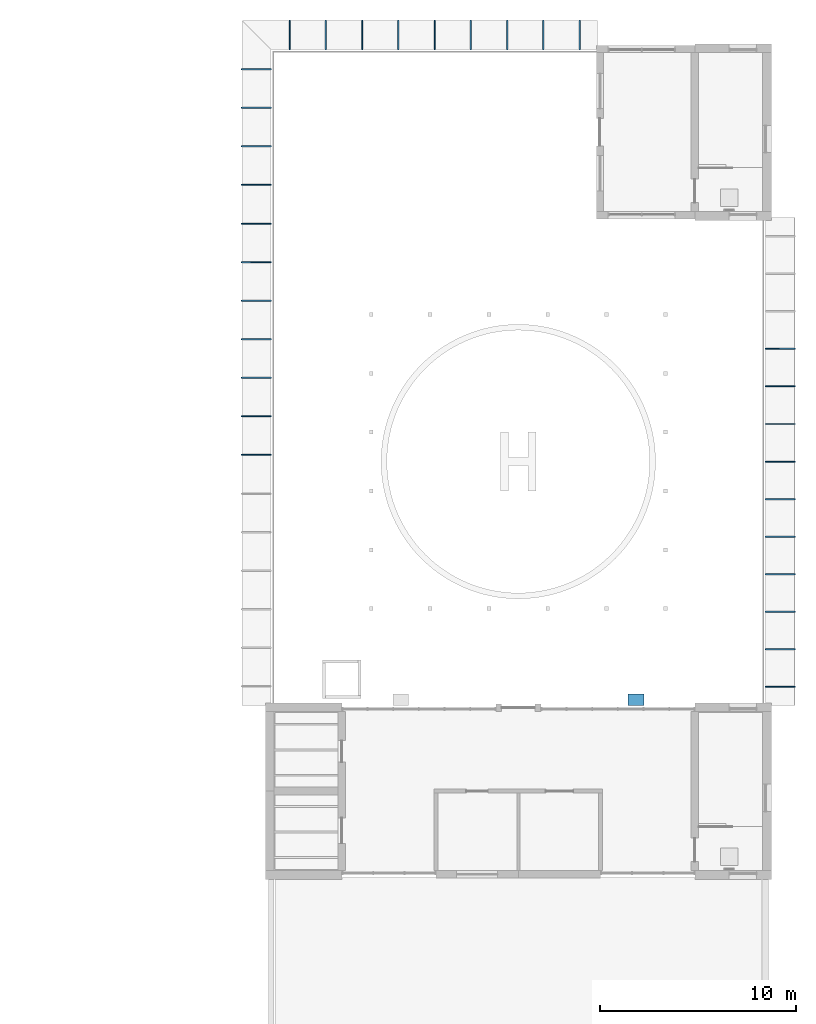
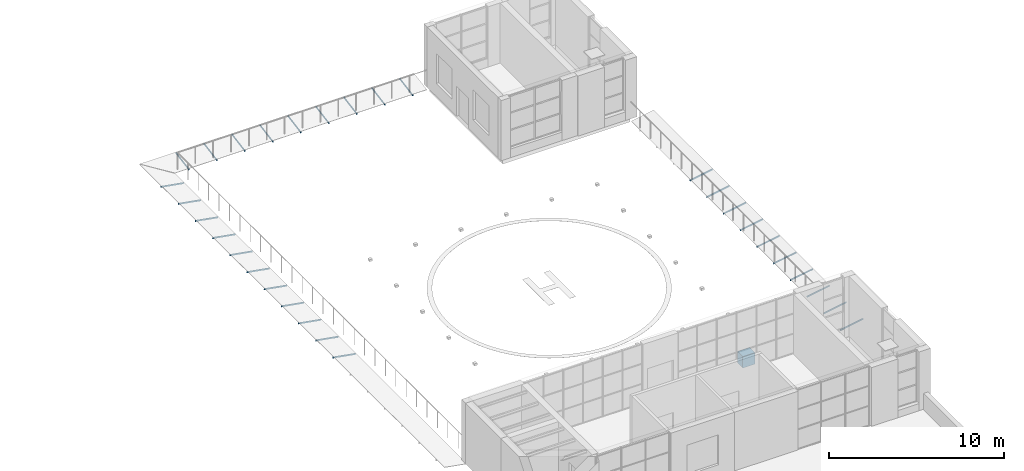
# One storey, part 54 of 66: 31 discrete accessories.
"""IFC4 building model written with IfcOpenShell, lengths in metres."""

from ifc_helpers import new_model, si_unit, direction, frame, origin, origin_2d, place, context, subcontext, project, spatial, rectangle, hollow_rectangle, extrude, material, material_profile, profile_set, type_object, element, save


model = new_model("IFC4")

# Units and contexts
model_context = context("Model", 3, precision=1e-05, world=origin(), true_north=direction((0.0, 1.0)))
body_context = subcontext(model_context, "Body", "Model", "MODEL_VIEW")
ifc_project = project(units=[si_unit("LENGTHUNIT", "METRE"), si_unit("AREAUNIT", "SQUARE_METRE"), si_unit("VOLUMEUNIT", "CUBIC_METRE"), si_unit("PLANEANGLEUNIT", "RADIAN"), si_unit("MASSUNIT", "GRAM", prefix="KILO")], contexts=[model_context])

# Site, building, storey
site_placement = place(None, origin())
site = spatial("IfcSite", under=ifc_project, at=site_placement, CompositionType="ELEMENT")
building_placement = place(site_placement, origin())
building = spatial("IfcBuilding", under=site, at=building_placement, Name="Yavir Park General Hospital", CompositionType="ELEMENT")
storey_placement = place(building_placement, frame((0.0, 0.0, 8.39990234375)))
storey = spatial("IfcBuildingStorey", under=building, at=storey_placement, Name="L02", CompositionType="ELEMENT", Elevation=8.39990234375)

# Discrete accessories
ifc_material_1 = material(Name="Stainless steel cabinet", Category="steel")
discrete_accessory_type_1 = type_object("IfcDiscreteAccessoryType", Name="Helipad foam fire point 800 x 600", PredefinedType="NOTDEFINED", material=ifc_material_1)
discrete_accessory_placement = place(storey_placement, frame((161.39990234375, 84.449951171875, 0.0), z_axis=(0.0, 0.0, 1.0), x_axis=(1.0, 0.0, 0.0)))
element("IfcDiscreteAccessory", 1, at=discrete_accessory_placement, inside=storey, type_object=discrete_accessory_type_1, Name="Helipad foam fire point 2", PredefinedType="NOTDEFINED", context=body_context, shape_type="SweptSolid", body=[
    extrude(rectangle(XDim=0.800048828125, YDim=0.60009765625, at=origin_2d()), origin(), (0.0, 0.0, 1.0), 0.800048828125),
])
ifc_material_2 = material(Name="Steel S355", Category="steel")
ifc_material_profile = material_profile(ifc_material_2, hollow_rectangle(XDim=0.050048828125, YDim=0.10009765625, WallThickness=0.00390625, InnerFilletRadius=0.00390625, OuterFilletRadius=0.008056640625, at=origin_2d()), Name="RHS100x50x4")
ifc_profile_set = profile_set([ifc_material_profile], Name="Steel S355")
discrete_accessory_type_2 = type_object("IfcDiscreteAccessoryType", Name="Net bracket RHS 100 x 50", PredefinedType="BRACKET", material=ifc_profile_set)
for number, where, z_axis, x_axis, name in (
    (2, (158.525634765625, 117.608642578125, -0.3798828125), (0.0, 0.984817426759, 0.173593306182), (-1.0, 0.0, 0.0), "Net bracket 1.1.1"),
    (3, (156.6767578125, 117.608642578125, -0.3798828125), (0.0, 0.984817426759, 0.173593306182), (-1.0, 0.0, 0.0), "Net bracket 1.1.2"),
    (4, (154.827880859375, 117.608642578125, -0.3798828125), (0.0, 0.984817426759, 0.173593306182), (-1.0, 0.0, 0.0), "Net bracket 1.1.3"),
    (5, (152.97900390625, 117.608642578125, -0.3798828125), (0.0, 0.984817426759, 0.173593306182), (-1.0, 0.0, 0.0), "Net bracket 1.1.4"),
    (6, (151.1298828125, 117.608642578125, -0.3798828125), (0.0, 0.984817426759, 0.173593306182), (-1.0, 0.0, 0.0), "Net bracket 1.1.5"),
    (7, (149.281005859375, 117.608642578125, -0.3798828125), (0.0, 0.984817426759, 0.173593306182), (-1.0, 0.0, 0.0), "Net bracket 1.1.6"),
    (8, (147.43212890625, 117.608642578125, -0.3798828125), (0.0, 0.984817426759, 0.173593306182), (-1.0, 0.0, 0.0), "Net bracket 1.1.7"),
    (9, (145.583251953125, 117.608642578125, -0.3798828125), (0.0, 0.984817426759, 0.173593306182), (-1.0, 0.0, 0.0), "Net bracket 1.1.8"),
    (10, (143.734375, 117.608642578125, -0.3798828125), (0.0, 0.984817426759, 0.173593306182), (-1.0, 0.0, 0.0), "Net bracket 1.1.9"),
    (11, (142.791259765625, 116.6064453125, -0.3798828125), (-0.984817426759, 0.0, 0.173593306182), (0.0, -1.0, 0.0), "Net bracket 1.2.1"),
    (12, (142.791259765625, 114.639404296875, -0.3798828125), (-0.984817426759, 0.0, 0.173593306182), (0.0, -1.0, 0.0), "Net bracket 1.2.2"),
    (13, (142.791259765625, 112.67236328125, -0.3798828125), (-0.984817426759, 0.0, 0.173593306182), (0.0, -1.0, 0.0), "Net bracket 1.2.3"),
    (14, (142.791259765625, 110.705322265625, -0.3798828125), (-0.984817426759, 0.0, 0.173593306182), (0.0, -1.0, 0.0), "Net bracket 1.2.4"),
    (15, (142.791259765625, 108.73828125, -0.3798828125), (-0.984817426759, 0.0, 0.173593306182), (0.0, -1.0, 0.0), "Net bracket 1.2.5"),
    (16, (142.791259765625, 106.771240234375, -0.3798828125), (-0.984817426759, 0.0, 0.173593306182), (0.0, -1.0, 0.0), "Net bracket 1.2.6"),
    (17, (142.791259765625, 104.80419921875, -0.3798828125), (-0.984817426759, 0.0, 0.173593306182), (0.0, -1.0, 0.0), "Net bracket 1.2.7"),
    (18, (142.791259765625, 102.837158203125, -0.3798828125), (-0.984817426759, 0.0, 0.173593306182), (0.0, -1.0, 0.0), "Net bracket 1.2.8"),
    (19, (142.791259765625, 100.8701171875, -0.3798828125), (-0.984817426759, 0.0, 0.173593306182), (0.0, -1.0, 0.0), "Net bracket 1.2.9"),
    (20, (142.791259765625, 98.90283203125, -0.3798828125), (-0.984817426759, 0.0, 0.173593306182), (0.0, -1.0, 0.0), "Net bracket 1.2.10"),
    (21, (142.791259765625, 96.935791015625, -0.3798828125), (-0.984817426759, 0.0, 0.173593306182), (0.0, -1.0, 0.0), "Net bracket 1.2.11"),
    (22, (168.0087890625, 85.107666015625, -0.3798828125), (0.984817426759, 0.0, 0.173593306182), (0.0, 1.0, 0.0), "Net bracket 2.1.1"),
    (23, (168.0087890625, 87.023193359375, -0.3798828125), (0.984817426759, 0.0, 0.173593306182), (0.0, 1.0, 0.0), "Net bracket 2.1.2"),
    (24, (168.0087890625, 88.9384765625, -0.3798828125), (0.984817426759, 0.0, 0.173593306182), (0.0, 1.0, 0.0), "Net bracket 2.1.3"),
    (25, (168.0087890625, 90.853759765625, -0.3798828125), (0.984817426759, 0.0, 0.173593306182), (0.0, 1.0, 0.0), "Net bracket 2.1.4"),
    (26, (168.0087890625, 92.769287109375, -0.3798828125), (0.984817426759, 0.0, 0.173593306182), (0.0, 1.0, 0.0), "Net bracket 2.1.5"),
    (27, (168.0087890625, 94.6845703125, -0.3798828125), (0.984817426759, 0.0, 0.173593306182), (0.0, 1.0, 0.0), "Net bracket 2.1.6"),
    (28, (168.0087890625, 96.60009765625, -0.3798828125), (0.984817426759, 0.0, 0.173593306182), (0.0, 1.0, 0.0), "Net bracket 2.1.7"),
    (29, (168.0087890625, 98.515380859375, -0.3798828125), (0.984817426759, 0.0, 0.173593306182), (0.0, 1.0, 0.0), "Net bracket 2.1.8"),
    (30, (168.0087890625, 100.430908203125, -0.3798828125), (0.984817426759, 0.0, 0.173593306182), (0.0, 1.0, 0.0), "Net bracket 2.1.9"),
    (31, (168.0087890625, 102.34619140625, -0.3798828125), (0.984817426759, 0.0, 0.173593306182), (0.0, 1.0, 0.0), "Net bracket 2.1.10"),
):
    element("IfcDiscreteAccessory", number, at=place(storey_placement, frame(where, z_axis=z_axis, x_axis=x_axis)), inside=storey, type_object=discrete_accessory_type_2, Name=name, PredefinedType="BRACKET", context=body_context, shape_type="SweptSolid", body=[
        extrude(hollow_rectangle(XDim=0.050048828125, YDim=0.10009765625, WallThickness=0.00390625, InnerFilletRadius=0.00390625, OuterFilletRadius=0.008056640625, at=origin_2d()), origin(), (0.0, 0.0, 1.0), 1.523193359375),
    ])

save(model, "model.ifc")
